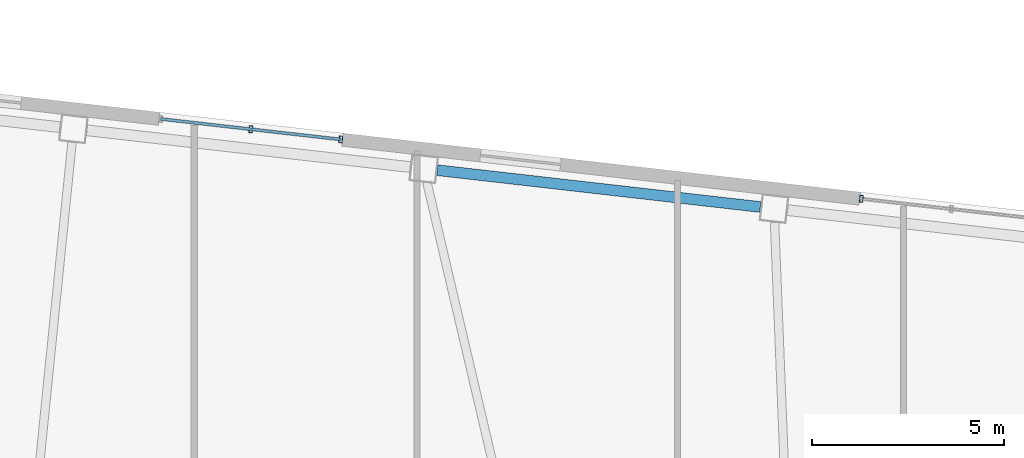
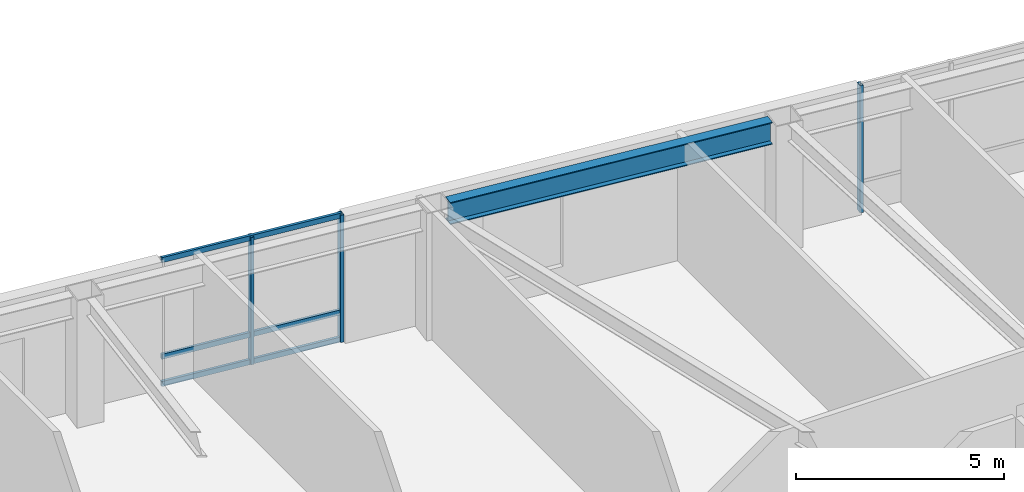
# One storey, part 8 of 21: 6 members, 1 beam, 2 elements without a shape of their own.
"""IFC4 building model written with IfcOpenShell, lengths in metres."""

from ifc_helpers import new_model, si_unit, direction, frame, origin, origin_2d, place, context, subcontext, project, spatial, hollow_rectangle, i_section, extrude, material, layer, layer_set, material_profile, profile_set, type_object, element, aggregate, save


model = new_model("IFC4")

# Units and contexts
model_context = context("Model", 3, precision=1e-05, world=origin(), true_north=direction((0.0, 1.0)))
body_context = subcontext(model_context, "Body", "Model", "MODEL_VIEW")
ifc_project = project(units=[si_unit("LENGTHUNIT", "METRE"), si_unit("AREAUNIT", "SQUARE_METRE"), si_unit("VOLUMEUNIT", "CUBIC_METRE"), si_unit("PLANEANGLEUNIT", "RADIAN"), si_unit("MASSUNIT", "GRAM", prefix="KILO")], contexts=[model_context])

# Site, building, storey
site_placement = place(None, origin())
site = spatial("IfcSite", under=ifc_project, at=site_placement, CompositionType="ELEMENT")
building_placement = place(site_placement, origin())
building = spatial("IfcBuilding", under=site, at=building_placement, Name="Tavrogorsk Clinical Tower", CompositionType="ELEMENT")
storey_placement = place(building_placement, frame((0.0, 0.0, 129.39990234375)))
storey = spatial("IfcBuildingStorey", under=building, at=storey_placement, Name="L29", CompositionType="ELEMENT", Elevation=129.39990234375)

# Curtain wall, members
ifc_material_1 = material(Name="Anodised aluminium and triple IGU glazing", Category="aluminium")
ifc_layer = layer(ifc_material_1, 0.179931640625)
ifc_layer_set = layer_set([ifc_layer], Name="Anodised aluminium and triple IGU glazing")
curtain_wall_type = type_object("IfcCurtainWallType", Name="CW2_NorthSlot", PredefinedType="NOTDEFINED", material=ifc_layer_set)
curtain_wall_1_placement = place(storey_placement, origin())
curtain_wall_1 = element("IfcCurtainWall", 1, at=curtain_wall_1_placement, inside=storey, type_object=curtain_wall_type, Name="L29 Curtain Wall CW-L29-N-SLOT-1", PredefinedType="NOTDEFINED")
ifc_material_2 = material(Name="Anodised aluminium alloy AW-6060", Category="aluminium")
ifc_material_profile_1 = material_profile(ifc_material_2, hollow_rectangle(XDim=0.090087890625, YDim=0.179931640625, WallThickness=0.00634765625, at=origin_2d()), Name="RHS-180x90x6.3")
ifc_profile_set_1 = profile_set([ifc_material_profile_1], Name="Anodised aluminium alloy AW-6060")
member_type_1 = type_object("IfcMemberType", Name="CwMullion_180x90", PredefinedType="MULLION", material=ifc_profile_set_1)
member_1_placement = place(storey_placement, frame((-1.586181640625, 23.443603515625, 0.0), z_axis=(0.0, 0.0, 1.0), x_axis=(-0.993571858269, 0.113203191016, 0.0)))
member_1 = element("IfcMember", 2, at=member_1_placement, type_object=member_type_1, Name="CW-L29-N-SLOT-1 Mullion 1", PredefinedType="MULLION", context=body_context, shape_type="SweptSolid", body=[
    extrude(hollow_rectangle(XDim=0.090087890625, YDim=0.179931640625, WallThickness=0.00634765625, at=origin_2d()), origin(), (0.0, 0.0, 1.0), 3.739990234375),
])
member_2_placement = place(storey_placement, frame((-3.929931640625, 23.71044921875, 0.0), z_axis=(0.0, 0.0, 1.0), x_axis=(-0.993571858269, 0.113203191016, 0.0)))
member_2 = element("IfcMember", 3, at=member_2_placement, type_object=member_type_1, Name="CW-L29-N-SLOT-1 Mullion 2", PredefinedType="MULLION", context=body_context, shape_type="SweptSolid", body=[
    extrude(hollow_rectangle(XDim=0.090087890625, YDim=0.179931640625, WallThickness=0.00634765625, at=origin_2d()), origin(), (0.0, 0.0, 1.0), 3.739990234375),
])

# Curtain wall, member
curtain_wall_2_placement = place(storey_placement, origin())
curtain_wall_2 = element("IfcCurtainWall", 4, at=curtain_wall_2_placement, inside=storey, type_object=curtain_wall_type, Name="L29 Curtain Wall CW-L29-N-SLOT-2", PredefinedType="NOTDEFINED")
member_3_placement = place(storey_placement, frame((11.962646484375, 21.89990234375, 0.0), z_axis=(0.0, 0.0, 1.0), x_axis=(-0.993571855603, 0.11320321441, 0.0)))
member_3 = element("IfcMember", 5, at=member_3_placement, type_object=member_type_1, Name="CW-L29-N-SLOT-2 Mullion 3", PredefinedType="MULLION", context=body_context, shape_type="SweptSolid", body=[
    extrude(hollow_rectangle(XDim=0.090087890625, YDim=0.179931640625, WallThickness=0.00634765625, at=origin_2d()), origin(), (0.0, 0.0, 1.0), 3.739990234375),
])
aggregate(curtain_wall_2, [member_3])

# Member
ifc_material_3 = material(Name="Anodised aluminium alloy AW-6060", Category="aluminium")
ifc_material_profile_2 = material_profile(ifc_material_3, hollow_rectangle(XDim=0.074951171875, YDim=0.14990234375, WallThickness=0.0048828125, at=origin_2d()), Name="RHS-150x75x5")
ifc_profile_set_2 = profile_set([ifc_material_profile_2], Name="Anodised aluminium alloy AW-6060")
member_type_2 = type_object("IfcMemberType", Name="CwTransom_150x75", PredefinedType="USERDEFINED", material=ifc_profile_set_2)
member_4_placement = place(storey_placement, frame((-1.586181640625, 23.443603515625, 0.050048828125), z_axis=(-0.993575136134, 0.11317441785, 0.0), x_axis=(-0.11317441785, -0.993575136134, 0.0)))
member_4 = element("IfcMember", 6, at=member_4_placement, type_object=member_type_2, Name="CW-L29-N-SLOT-1 Transom 1", ObjectType="TRANSOM", PredefinedType="USERDEFINED", context=body_context, shape_type="SweptSolid", body=[
    extrude(hollow_rectangle(XDim=0.074951171875, YDim=0.14990234375, WallThickness=0.0048828125, at=origin_2d()), origin(), (0.0, 0.0, 1.0), 4.7177734375),
])

member_5_placement = place(storey_placement, frame((-1.586181640625, 23.443603515625, 0.85009765625), z_axis=(-0.993575136134, 0.11317441785, 0.0), x_axis=(-0.11317441785, -0.993575136134, 0.0)))
member_5 = element("IfcMember", 7, at=member_5_placement, type_object=member_type_2, Name="CW-L29-N-SLOT-1 Transom 2", ObjectType="TRANSOM", PredefinedType="USERDEFINED", context=body_context, shape_type="SweptSolid", body=[
    extrude(hollow_rectangle(XDim=0.074951171875, YDim=0.14990234375, WallThickness=0.0048828125, at=origin_2d()), origin(), (0.0, 0.0, 1.0), 4.7177734375),
])

member_6_placement = place(storey_placement, frame((-1.586181640625, 23.443603515625, 3.690185546875), z_axis=(-0.993575136134, 0.11317441785, 0.0), x_axis=(-0.11317441785, -0.993575136134, 0.0)))
member_6 = element("IfcMember", 8, at=member_6_placement, type_object=member_type_2, Name="CW-L29-N-SLOT-1 Transom 3", ObjectType="TRANSOM", PredefinedType="USERDEFINED", context=body_context, shape_type="SweptSolid", body=[
    extrude(hollow_rectangle(XDim=0.074951171875, YDim=0.14990234375, WallThickness=0.0048828125, at=origin_2d()), origin(), (0.0, 0.0, 1.0), 4.7177734375),
])

aggregate(curtain_wall_1, [member_1, member_2, member_4, member_5, member_6])

# Beam
ifc_material_4 = material(Name="Structural steel S390", Category="steel")
ifc_material_profile_3 = material_profile(ifc_material_4, i_section(OverallWidth=0.280029296875, OverallDepth=0.64990234375, WebThickness=0.01611328125, FlangeThickness=0.02490234375, at=origin_2d()), Name="B-650x280x16x25")
ifc_profile_set_3 = profile_set([ifc_material_profile_3], Name="Structural steel S390")
beam_type = type_object("IfcBeamType", Name="SpandrelBeam_B650", PredefinedType="SPANDREL", material=ifc_profile_set_3)
beam_placement = place(storey_placement, frame((9.333984375, 21.68603515625, 3.4150390625), z_axis=(-0.99357306506, 0.113192598642, 0.0), x_axis=(-0.113192598642, -0.99357306506, 0.0)))
element("IfcBeam", 9, at=beam_placement, inside=storey, type_object=beam_type, Name="L29 Perimeter Spandrel N4-N5", PredefinedType="SPANDREL", context=body_context, shape_type="SweptSolid", body=[
    extrude(i_section(OverallWidth=0.280029296875, OverallDepth=0.64990234375, WebThickness=0.01611328125, FlangeThickness=0.02490234375, at=origin_2d()), origin(), (0.0, 0.0, 1.0), 8.46142578125),
])

save(model, "model.ifc")
